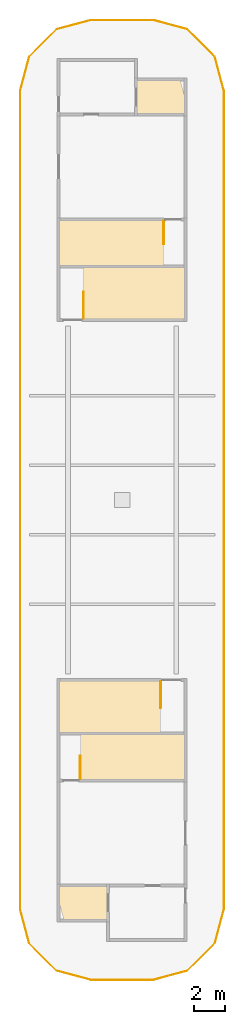
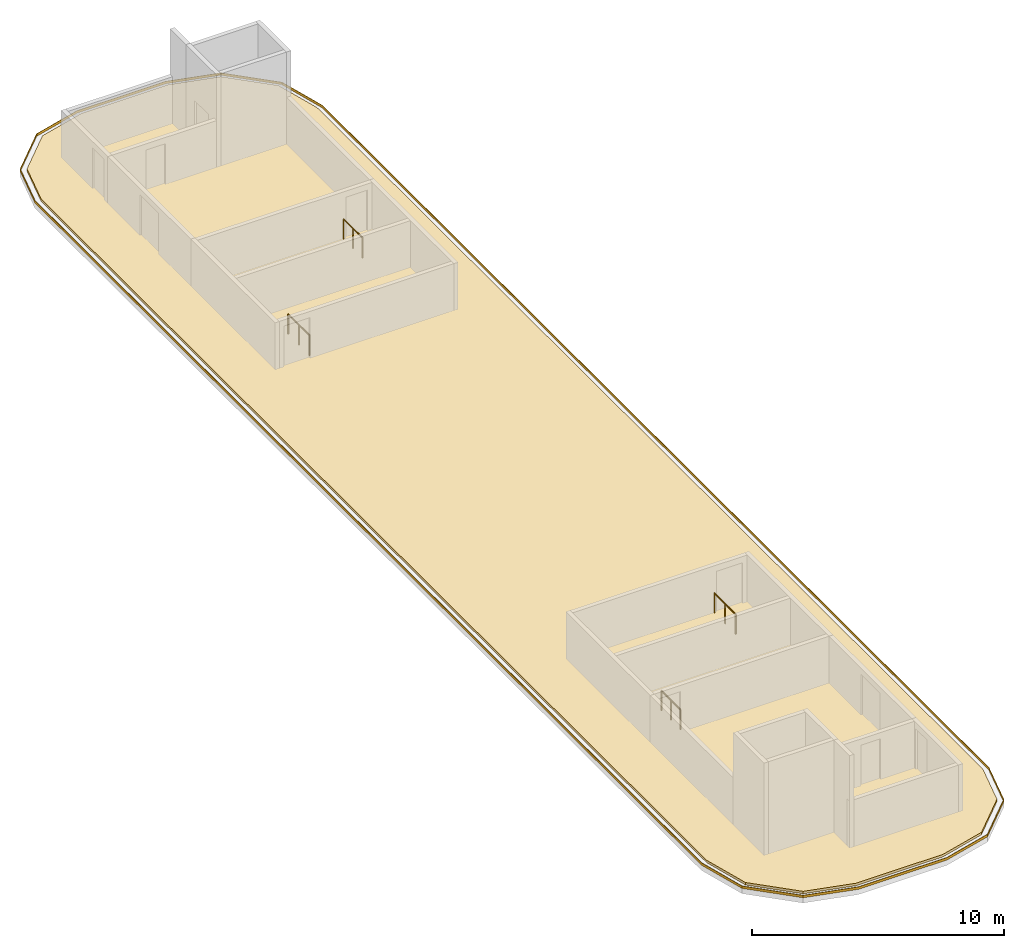
# One storey, part 3 of 3: 4 railings, 2 coverings.
"""IFC4 building model written with IfcOpenShell, lengths in metres."""

from ifc_helpers import new_model, si_unit, direction, frame, origin, origin_2d, place, context, subcontext, project, spatial, polyline, circle, outline, extrude, material, layer, layer_set, type_object, element, save


model = new_model("IFC4")

# Units and contexts
model_context = context("Model", 3, precision=1e-05, world=origin(), true_north=direction((0.0, 1.0)))
body_context = subcontext(model_context, "Body", "Model", "MODEL_VIEW")
ifc_project = project(units=[si_unit("LENGTHUNIT", "METRE"), si_unit("AREAUNIT", "SQUARE_METRE"), si_unit("VOLUMEUNIT", "CUBIC_METRE"), si_unit("PLANEANGLEUNIT", "RADIAN"), si_unit("MASSUNIT", "GRAM", prefix="KILO")], contexts=[model_context])

# Site, building, storey
site_placement = place(None, origin())
site = spatial("IfcSite", under=ifc_project, at=site_placement, CompositionType="ELEMENT")
building_placement = place(site_placement, origin())
building = spatial("IfcBuilding", under=site, at=building_placement, Name="Zarbagh Exchange Tower", CompositionType="ELEMENT")
storey_placement = place(building_placement, frame((0.0, 0.0, 320.39990234375)))
storey = spatial("IfcBuildingStorey", under=building, at=storey_placement, Name="Roof", CompositionType="ELEMENT", Elevation=320.39990234375)

# Railings
ifc_material_1 = material(Name="Stainless steel", Category="steel")
railing_type = type_object("IfcRailingType", Name="Stair guard 1100 mm", PredefinedType="GUARDRAIL", material=ifc_material_1)
railing_1_placement = place(storey_placement, frame((2.699951171875, 18.050048828125, 0.0)))
element("IfcRailing", 1, at=railing_1_placement, inside=storey, type_object=railing_type, Name="ST1 top well guard 1", PredefinedType="GUARDRAIL", context=body_context, shape_type="SweptSolid", body=[
    extrude(circle(Radius=0.02392578125, at=origin_2d()), frame((0.0, 0.0, 1.076171875), z_axis=(0.0, -1.0, 0.0), x_axis=(1.0, 0.0, 0.0)), (0.0, 0.0, 1.0), 1.5),
    extrude(circle(Radius=0.02099609375, at=origin_2d()), origin(), (0.0, 0.0, 1.0), 1.052001953125),
    extrude(circle(Radius=0.02099609375, at=origin_2d()), frame((0.0, -0.75, 0.0)), (0.0, 0.0, 1.0), 1.052001953125),
    extrude(circle(Radius=0.02099609375, at=origin_2d()), frame((0.0, -1.5, 0.0)), (0.0, 0.0, 1.0), 1.052001953125),
])
railing_2_placement = place(storey_placement, frame((-2.5, 11.75, 0.0)))
element("IfcRailing", 2, at=railing_2_placement, inside=storey, type_object=railing_type, Name="ST2 top well guard 1", PredefinedType="GUARDRAIL", context=body_context, shape_type="SweptSolid", body=[
    extrude(circle(Radius=0.02392578125, at=origin_2d()), frame((0.0, 0.0, 1.076171875), z_axis=(0.0, 1.0, 0.0), x_axis=(-1.0, 0.0, 0.0)), (0.0, 0.0, 1.0), 1.699951171875),
    extrude(circle(Radius=0.02099609375, at=origin_2d()), origin(), (0.0, 0.0, 1.0), 1.052001953125),
    extrude(circle(Radius=0.02099609375, at=origin_2d()), frame((0.0, 0.85009765625, 0.0)), (0.0, 0.0, 1.0), 1.052001953125),
    extrude(circle(Radius=0.02099609375, at=origin_2d()), frame((0.0, 1.699951171875, 0.0)), (0.0, 0.0, 1.0), 1.052001953125),
])
railing_3_placement = place(storey_placement, frame((-2.699951171875, -18.050048828125, 0.0)))
element("IfcRailing", 3, at=railing_3_placement, inside=storey, type_object=railing_type, Name="ST3 top well guard 1", PredefinedType="GUARDRAIL", context=body_context, shape_type="SweptSolid", body=[
    extrude(circle(Radius=0.02392578125, at=origin_2d()), frame((0.0, 0.0, 1.076171875), z_axis=(0.0, 1.0, 0.0), x_axis=(-1.0, 0.0, 0.0)), (0.0, 0.0, 1.0), 1.5),
    extrude(circle(Radius=0.02099609375, at=origin_2d()), origin(), (0.0, 0.0, 1.0), 1.052001953125),
    extrude(circle(Radius=0.02099609375, at=origin_2d()), frame((0.0, 0.75, 0.0)), (0.0, 0.0, 1.0), 1.052001953125),
    extrude(circle(Radius=0.02099609375, at=origin_2d()), frame((0.0, 1.5, 0.0)), (0.0, 0.0, 1.0), 1.052001953125),
])
railing_4_placement = place(storey_placement, frame((2.5, -11.75, 0.0)))
element("IfcRailing", 4, at=railing_4_placement, inside=storey, type_object=railing_type, Name="ST4 top well guard 1", PredefinedType="GUARDRAIL", context=body_context, shape_type="SweptSolid", body=[
    extrude(circle(Radius=0.02392578125, at=origin_2d()), frame((0.0, 0.0, 1.076171875), z_axis=(0.0, -1.0, 0.0), x_axis=(1.0, 0.0, 0.0)), (0.0, 0.0, 1.0), 1.699951171875),
    extrude(circle(Radius=0.02099609375, at=origin_2d()), origin(), (0.0, 0.0, 1.0), 1.052001953125),
    extrude(circle(Radius=0.02099609375, at=origin_2d()), frame((0.0, -0.85009765625, 0.0)), (0.0, 0.0, 1.0), 1.052001953125),
    extrude(circle(Radius=0.02099609375, at=origin_2d()), frame((0.0, -1.699951171875, 0.0)), (0.0, 0.0, 1.0), 1.052001953125),
])

# Coverings
ifc_material_2 = material(Name="Bituminous membrane and screed")
ifc_layer = layer(ifc_material_2, 0.1201171875)
ifc_layer_set = layer_set([ifc_layer], Name="Terrace roofing build-up, waterproofing and screed")
covering_type = type_object("IfcCoveringType", Name="Terrace roofing build-up, waterproofing and screed", PredefinedType="ROOFING", material=ifc_layer_set)
covering_1_placement = place(storey_placement, origin())
element("IfcCovering", 5, at=covering_1_placement, inside=storey, type_object=covering_type, Name="roof roofing", PredefinedType="ROOFING", context=body_context, shape_type="SweptSolid", body=[
    extrude(outline(polyline([(-2.036865234375, -31.050048828125), (-4.231689453125, -30.4619140625), (-6.011962890625, -28.681640625), (-6.60009765625, -26.487060546875), (-6.60009765625, 26.487060546875), (-6.011962890625, 28.681640625), (-4.231689453125, 30.4619140625), (-2.036865234375, 31.050048828125), (2.036865234375, 31.050048828125), (4.231689453125, 30.4619140625), (6.011962890625, 28.681640625), (6.60009765625, 26.487060546875), (6.60009765625, -26.487060546875), (6.011962890625, -28.681640625), (4.231689453125, -30.4619140625), (2.036865234375, -31.050048828125), (-2.036865234375, -31.050048828125)]), holes=[polyline([(-5.993896484375, -28.67138671875), (-4.221435546875, -30.444091796875), (-2.0341796875, -31.030029296875), (2.0341796875, -31.030029296875), (4.221435546875, -30.444091796875), (5.993896484375, -28.67138671875), (6.580078125, -26.484375), (6.580078125, 26.484375), (5.993896484375, 28.67138671875), (4.221435546875, 30.444091796875), (2.0341796875, 31.030029296875), (-2.0341796875, 31.030029296875), (-4.221435546875, 30.444091796875), (-5.993896484375, 28.67138671875), (-6.580078125, 26.484375), (-6.580078125, -26.484375), (-5.993896484375, -28.67138671875)])]), origin(), (0.0, 0.0, 1.0), 0.1201171875),
])
covering_2_placement = place(storey_placement, origin())
element("IfcCovering", 6, at=covering_2_placement, inside=storey, type_object=covering_type, Name="roof roofing", PredefinedType="ROOFING", context=body_context, shape_type="SweptSolid", body=[
    extrude(outline(polyline([(-2.00146484375, 30.780029296875), (2.00146484375, 30.780029296875), (4.092041015625, 30.2197265625), (5.769775390625, 28.5419921875), (6.330078125, 26.451416015625), (6.330078125, -26.451416015625), (5.769775390625, -28.5419921875), (4.092041015625, -30.2197265625), (2.00146484375, -30.780029296875), (-2.00146484375, -30.780029296875), (-4.092041015625, -30.2197265625), (-5.769775390625, -28.5419921875), (-6.330078125, -26.451416015625), (-6.330078125, 26.451416015625), (-5.769775390625, 28.5419921875), (-4.092041015625, 30.2197265625), (-2.00146484375, 30.780029296875)])), origin(), (0.0, 0.0, 1.0), 0.1201171875),
])

save(model, "model.ifc")
